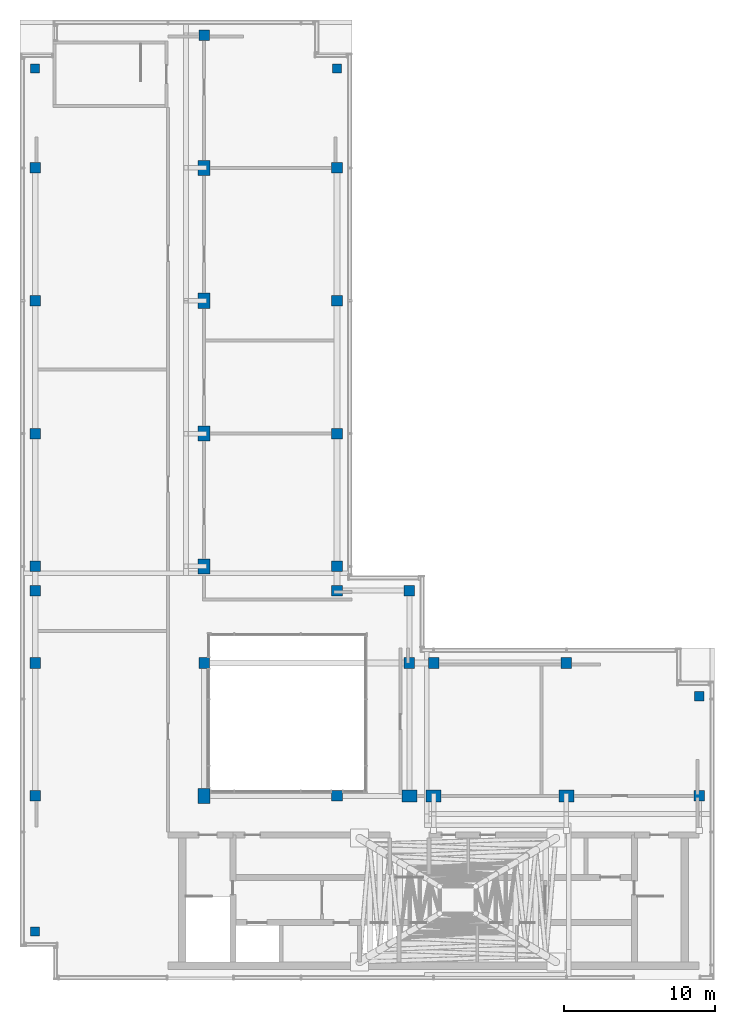
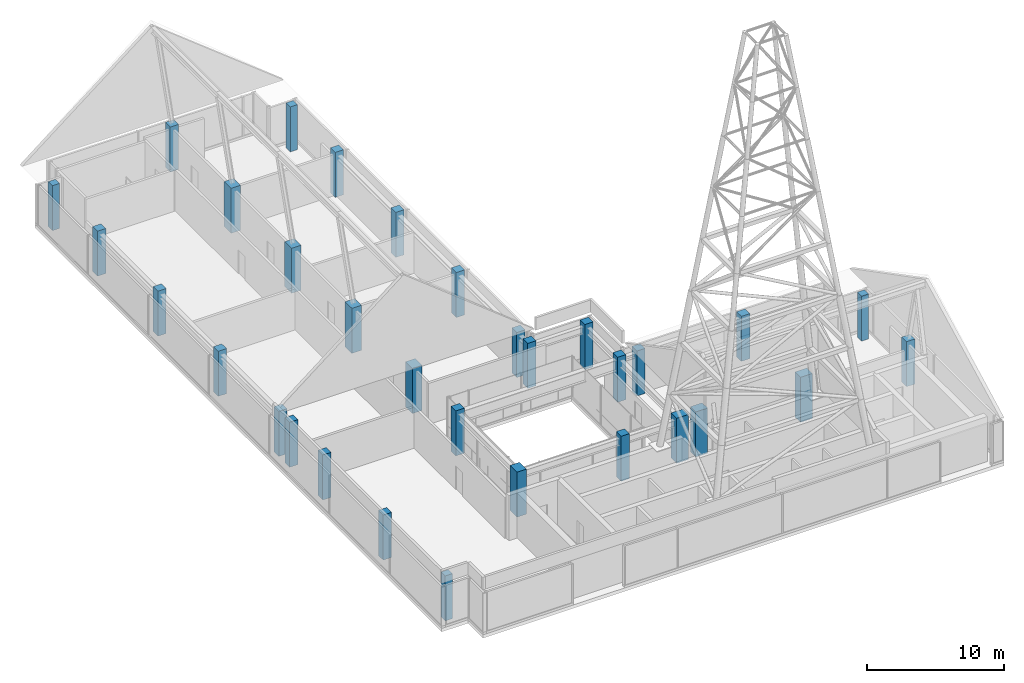
# One storey, part 1 of 13: 32 columns.
"""IFC4 building model written with IfcOpenShell, lengths in metres."""

from ifc_helpers import new_model, si_unit, direction, frame, origin, origin_2d, place, context, subcontext, project, spatial, rectangle, extrude, material, material_profile, profile_set, type_object, element, save


model = new_model("IFC4")

# Units and contexts
model_context = context("Model", 3, precision=1e-05, world=origin(), true_north=direction((0.0, 1.0)))
body_context = subcontext(model_context, "Body", "Model", "MODEL_VIEW")
ifc_project = project(units=[si_unit("LENGTHUNIT", "METRE"), si_unit("AREAUNIT", "SQUARE_METRE"), si_unit("VOLUMEUNIT", "CUBIC_METRE"), si_unit("PLANEANGLEUNIT", "RADIAN"), si_unit("MASSUNIT", "GRAM", prefix="KILO")], contexts=[model_context])

# Site, building, storey
site_placement = place(None, origin())
site = spatial("IfcSite", under=ifc_project, at=site_placement, CompositionType="ELEMENT")
building_placement = place(site_placement, origin())
building = spatial("IfcBuilding", under=site, at=building_placement, Name="Kemantara Hotel Tower", CompositionType="ELEMENT")
storey_placement = place(building_placement, frame((0.0, 0.0, 330.199951171875)))
storey = spatial("IfcBuildingStorey", under=building, at=storey_placement, Name="L83", CompositionType="ELEMENT", Elevation=330.199951171875)

# Columns
ifc_material = material(Name="Concrete fc 50 MPa", Category="concrete")
ifc_material_profile_1 = material_profile(ifc_material, rectangle(XDim=1.0, YDim=0.800048828125, at=origin_2d()), Name="RC 1000X800")
ifc_profile_set_1 = profile_set([ifc_material_profile_1], Name="Concrete fc 50 MPa")
column_type_1 = type_object("IfcColumnType", Name="RC COLUMN 1000X800 FC50", PredefinedType="COLUMN", material=ifc_profile_set_1)
for number, where, z_axis, x_axis, name in (
    (1, (12.199951171875, 12.199951171875, 0.0), (0.0, 0.0, 1.0), (0.0, 1.0, 0.0), "COLUMN 2A/BA L83"),
    (2, (12.199951171875, 27.39990234375, 0.0), (0.0, 0.0, 1.0), (0.0, 1.0, 0.0), "COLUMN 2A/D L83"),
    (3, (12.199951171875, 36.199951171875, 0.0), (0.0, 0.0, 1.0), (0.0, 1.0, 0.0), "COLUMN 2A/E L83"),
    (4, (12.199951171875, 45.0, 0.0), (0.0, 0.0, 1.0), (0.0, 1.0, 0.0), "COLUMN 2A/F L83"),
    (5, (12.199951171875, 53.800048828125, 0.0), (0.0, 0.0, 1.0), (0.0, 1.0, 0.0), "COLUMN 2A/G L83"),
    (6, (25.800048828125, 12.199951171875, 0.0), (0.0, 0.0, 1.0), (1.0, 0.0, 0.0), "COLUMN 3A/BA L83"),
    (7, (27.39990234375, 12.199951171875, 0.0), (0.0, 0.0, 1.0), (1.0, 0.0, 0.0), "COLUMN 4/BA L83"),
    (8, (36.199951171875, 12.199951171875, 0.0), (0.0, 0.0, 1.0), (1.0, 0.0, 0.0), "COLUMN 5/BA L83"),
):
    element("IfcColumn", number, at=place(storey_placement, frame(where, z_axis=z_axis, x_axis=x_axis)), inside=storey, type_object=column_type_1, Name=name, PredefinedType="COLUMN", context=body_context, shape_type="SweptSolid", body=[
        extrude(rectangle(XDim=1.0, YDim=0.800048828125, at=origin_2d()), origin(), (0.0, 0.0, 1.0), 4.0),
    ])
ifc_material_profile_2 = material_profile(ifc_material, rectangle(XDim=0.60009765625, YDim=0.60009765625, at=origin_2d()), Name="RC 600X600")
ifc_profile_set_2 = profile_set([ifc_material_profile_2], Name="Concrete fc 50 MPa")
column_type_2 = type_object("IfcColumnType", Name="RC COLUMN 600X600 FC50", PredefinedType="COLUMN", material=ifc_profile_set_2)
for number, where, z_axis, x_axis, name in (
    (9, (1.0, 3.199951171875, 0.0), (0.0, 0.0, 1.0), (1.0, 0.0, 0.0), "COLUMN notch corner L83"),
    (10, (1.0, 60.39990234375, 0.0), (0.0, 0.0, 1.0), (1.0, 0.0, 0.0), "COLUMN notch corner L83"),
    (11, (21.0, 60.39990234375, 0.0), (0.0, 0.0, 1.0), (1.0, 0.0, 0.0), "COLUMN notch corner L83"),
    (12, (45.0, 18.800048828125, 0.0), (0.0, 0.0, 1.0), (1.0, 0.0, 0.0), "COLUMN notch corner L83"),
):
    element("IfcColumn", number, at=place(storey_placement, frame(where, z_axis=z_axis, x_axis=x_axis)), inside=storey, type_object=column_type_2, Name=name, PredefinedType="COLUMN", context=body_context, shape_type="SweptSolid", body=[
        extrude(rectangle(XDim=0.60009765625, YDim=0.60009765625, at=origin_2d()), origin(), (0.0, 0.0, 1.0), 4.0),
    ])
ifc_material_profile_3 = material_profile(ifc_material, rectangle(XDim=0.699951171875, YDim=0.699951171875, at=origin_2d()), Name="RC 700X700")
ifc_profile_set_3 = profile_set([ifc_material_profile_3], Name="Concrete fc 50 MPa")
column_type_3 = type_object("IfcColumnType", Name="RC COLUMN 700X700 FC50", PredefinedType="COLUMN", material=ifc_profile_set_3)
for number, where, z_axis, x_axis, name in (
    (13, (1.0, 12.199951171875, 0.0), (0.0, 0.0, 1.0), (1.0, 0.0, 0.0), "COLUMN 1/BA L83"),
    (14, (1.0, 21.0, 0.0), (0.0, 0.0, 1.0), (1.0, 0.0, 0.0), "COLUMN 1/C L83"),
    (15, (1.0, 25.800048828125, 0.0), (0.0, 0.0, 1.0), (1.0, 0.0, 0.0), "COLUMN 1/CA L83"),
    (16, (1.0, 27.39990234375, 0.0), (0.0, 0.0, 1.0), (1.0, 0.0, 0.0), "COLUMN 1/D L83"),
    (17, (1.0, 36.199951171875, 0.0), (0.0, 0.0, 1.0), (1.0, 0.0, 0.0), "COLUMN 1/E L83"),
    (18, (1.0, 45.0, 0.0), (0.0, 0.0, 1.0), (1.0, 0.0, 0.0), "COLUMN 1/F L83"),
    (19, (1.0, 53.800048828125, 0.0), (0.0, 0.0, 1.0), (1.0, 0.0, 0.0), "COLUMN 1/G L83"),
    (20, (12.199951171875, 21.0, 0.0), (0.0, 0.0, 1.0), (1.0, 0.0, 0.0), "COLUMN 2A/C L83"),
    (21, (12.199951171875, 62.60009765625, 0.0), (0.0, 0.0, 1.0), (1.0, 0.0, 0.0), "COLUMN 2A/H L83"),
    (22, (21.0, 12.199951171875, 0.0), (0.0, 0.0, 1.0), (1.0, 0.0, 0.0), "COLUMN 3/BA L83"),
    (23, (21.0, 25.800048828125, 0.0), (0.0, 0.0, 1.0), (1.0, 0.0, 0.0), "COLUMN 3/CA L83"),
    (24, (21.0, 27.39990234375, 0.0), (0.0, 0.0, 1.0), (1.0, 0.0, 0.0), "COLUMN 3/D L83"),
    (25, (21.0, 36.199951171875, 0.0), (0.0, 0.0, 1.0), (1.0, 0.0, 0.0), "COLUMN 3/E L83"),
    (26, (21.0, 45.0, 0.0), (0.0, 0.0, 1.0), (1.0, 0.0, 0.0), "COLUMN 3/F L83"),
    (27, (21.0, 53.800048828125, 0.0), (0.0, 0.0, 1.0), (1.0, 0.0, 0.0), "COLUMN 3/G L83"),
    (28, (25.800048828125, 21.0, 0.0), (0.0, 0.0, 1.0), (1.0, 0.0, 0.0), "COLUMN 3A/C L83"),
    (29, (25.800048828125, 25.800048828125, 0.0), (0.0, 0.0, 1.0), (1.0, 0.0, 0.0), "COLUMN 3A/CA L83"),
    (30, (27.39990234375, 21.0, 0.0), (0.0, 0.0, 1.0), (1.0, 0.0, 0.0), "COLUMN 4/C L83"),
    (31, (36.199951171875, 21.0, 0.0), (0.0, 0.0, 1.0), (1.0, 0.0, 0.0), "COLUMN 5/C L83"),
    (32, (45.0, 12.199951171875, 0.0), (0.0, 0.0, 1.0), (1.0, 0.0, 0.0), "COLUMN 6/BA L83"),
):
    element("IfcColumn", number, at=place(storey_placement, frame(where, z_axis=z_axis, x_axis=x_axis)), inside=storey, type_object=column_type_3, Name=name, PredefinedType="COLUMN", context=body_context, shape_type="SweptSolid", body=[
        extrude(rectangle(XDim=0.699951171875, YDim=0.699951171875, at=origin_2d()), origin(), (0.0, 0.0, 1.0), 4.0),
    ])

save(model, "model.ifc")
